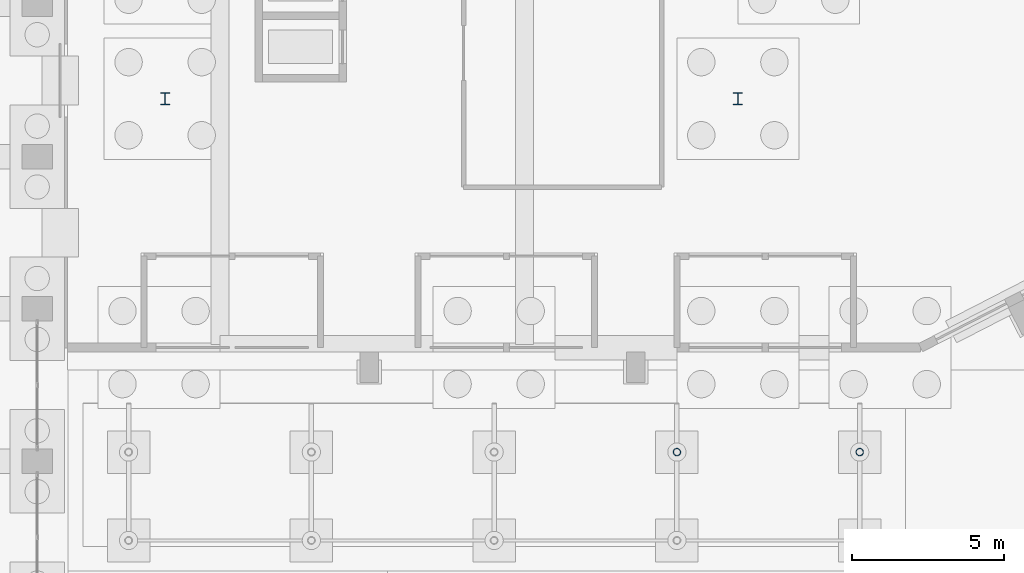
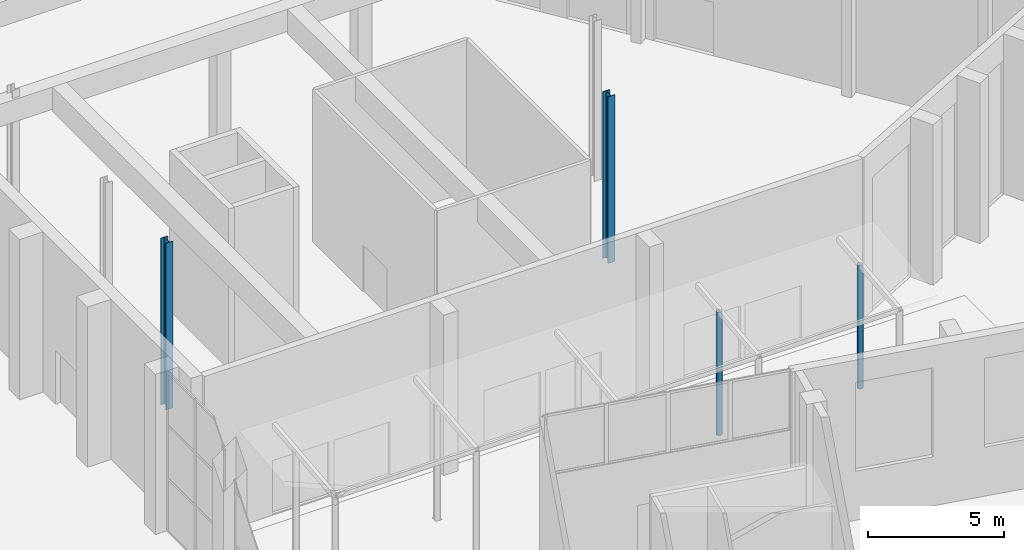
# One storey, part 41 of 239: 4 columns.
"""IFC4 building model written with IfcOpenShell, lengths in metres."""

from ifc_helpers import new_model, si_unit, direction, frame, origin, origin_2d, place, context, subcontext, project, spatial, hollow_circle, i_section, extrude, material, material_profile, profile_set, type_object, element, save


model = new_model("IFC4")

# Units and contexts
model_context = context("Model", 3, precision=1e-05, world=origin(), true_north=direction((0.0, 1.0)))
body_context = subcontext(model_context, "Body", "Model", "MODEL_VIEW")
ifc_project = project(units=[si_unit("LENGTHUNIT", "METRE"), si_unit("AREAUNIT", "SQUARE_METRE"), si_unit("VOLUMEUNIT", "CUBIC_METRE"), si_unit("PLANEANGLEUNIT", "RADIAN"), si_unit("MASSUNIT", "GRAM", prefix="KILO")], contexts=[model_context])

# Site, building, storey
site_placement = place(None, origin())
site = spatial("IfcSite", under=ifc_project, at=site_placement, CompositionType="ELEMENT")
building_placement = place(site_placement, origin())
building = spatial("IfcBuilding", under=site, at=building_placement, Name="Okhra Congress Centre", CompositionType="ELEMENT")
storey_placement = place(building_placement, origin())
storey = spatial("IfcBuildingStorey", under=building, at=storey_placement, Name="L00", CompositionType="ELEMENT", Elevation=0.0)

# Columns
ifc_material = material(Name="Steel S355J2", Category="steel")
ifc_material_profile_1 = material_profile(ifc_material, i_section(OverallWidth=0.300048828125, OverallDepth=0.39990234375, WebThickness=0.013427734375, FlangeThickness=0.02392578125, FilletRadius=0.027099609375, at=origin_2d()), Name="HE 400 B")
ifc_profile_set_1 = profile_set([ifc_material_profile_1], Name="Steel S355J2")
column_type_1 = type_object("IfcColumnType", Name="HE 400 B", PredefinedType="COLUMN", material=ifc_profile_set_1)
for number, where, z_axis, x_axis, name in (
    (1, (193.199951171875, 157.89990234375, -0.300048828125), (0.0, 0.0, 1.0), (1.0, 0.0, 0.0), "Foyer roof column 1"),
    (2, (212.0, 157.89990234375, -0.300048828125), (0.0, 0.0, 1.0), (1.0, 0.0, 0.0), "Foyer mid-span column 1"),
):
    element("IfcColumn", number, at=place(storey_placement, frame(where, z_axis=z_axis, x_axis=x_axis)), inside=storey, type_object=column_type_1, Name=name, PredefinedType="COLUMN", context=body_context, shape_type="SweptSolid", body=[
        extrude(i_section(OverallWidth=0.300048828125, OverallDepth=0.39990234375, WebThickness=0.013427734375, FlangeThickness=0.02392578125, FilletRadius=0.027099609375, at=origin_2d()), origin(), (0.0, 0.0, 1.0), 7.5),
    ])
ifc_material_profile_2 = material_profile(ifc_material, hollow_circle(Radius=0.122314453125, WallThickness=0.010009765625, at=origin_2d()), Name="CHS 244.5x10")
ifc_profile_set_2 = profile_set([ifc_material_profile_2], Name="Steel S355J2")
column_type_2 = type_object("IfcColumnType", Name="Steel canopy column CHS 244x10", PredefinedType="COLUMN", material=ifc_profile_set_2)
for number, where, z_axis, x_axis, name in (
    (3, (210.0, 146.300048828125, -0.39990234375), (0.0, 0.0, 1.0), (1.0, 0.0, 0.0), "Drop-off canopy column 4.2"),
    (4, (216.0, 146.300048828125, -0.39990234375), (0.0, 0.0, 1.0), (1.0, 0.0, 0.0), "Drop-off canopy column 5.2"),
):
    element("IfcColumn", number, at=place(storey_placement, frame(where, z_axis=z_axis, x_axis=x_axis)), inside=storey, type_object=column_type_2, Name=name, PredefinedType="COLUMN", context=body_context, shape_type="SweptSolid", body=[
        extrude(hollow_circle(Radius=0.122314453125, WallThickness=0.010009765625, at=origin_2d()), origin(), (0.0, 0.0, 1.0), 5.5546875),
    ])

save(model, "model.ifc")
